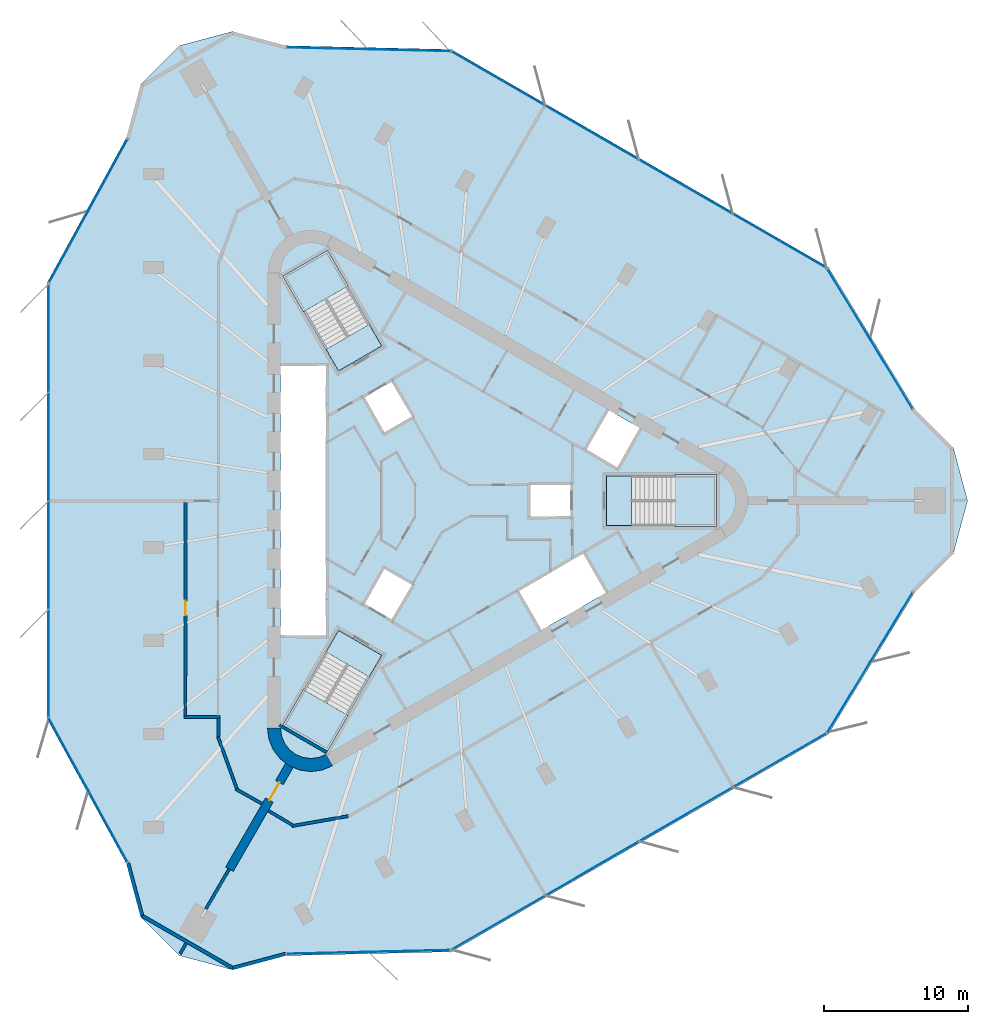
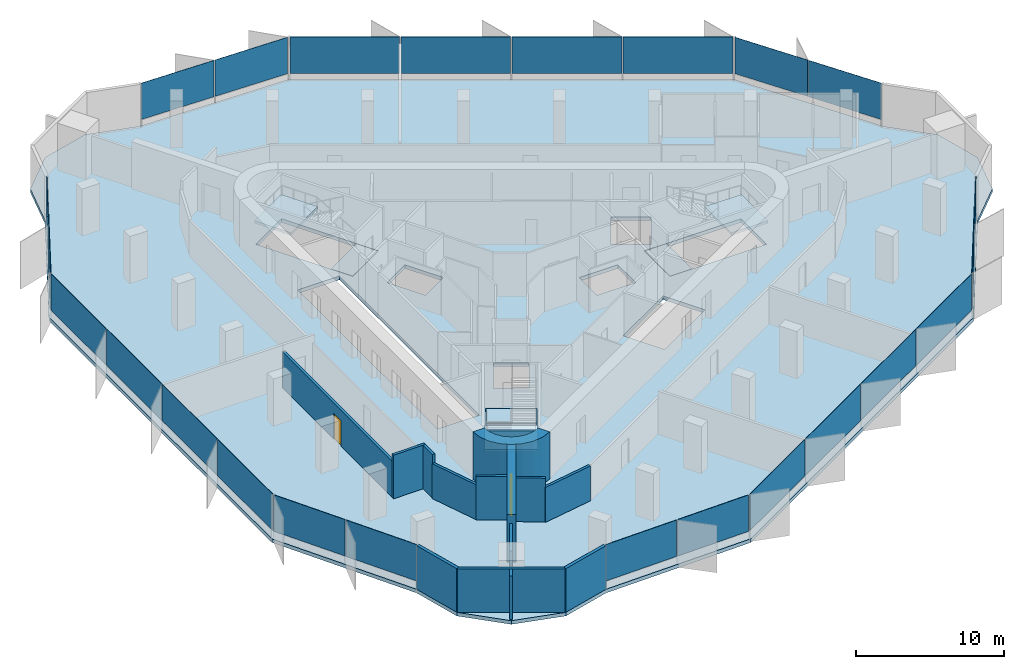
# One storey, part 6 of 12: 24 plates, 15 walls, 7 slabs, 2 doors, 2 openings, 12 elements without a shape of their own.
"""IFC4 building model written with IfcOpenShell, lengths in metres."""

from ifc_helpers import new_model, si_unit, direction, frame, frame_2d, origin, origin_2d, place, context, subcontext, project, spatial, polyline, rectangle, outline, extrude, material, layer, layer_set, type_object, element, fill, aggregate, save


model = new_model("IFC4")

# Units and contexts
model_context = context("Model", 3, precision=1e-05, world=origin(), true_north=direction((0.0, 1.0)))
body_context = subcontext(model_context, "Body", "Model", "MODEL_VIEW")
ifc_project = project(units=[si_unit("LENGTHUNIT", "METRE"), si_unit("AREAUNIT", "SQUARE_METRE"), si_unit("VOLUMEUNIT", "CUBIC_METRE"), si_unit("PLANEANGLEUNIT", "RADIAN"), si_unit("MASSUNIT", "GRAM", prefix="KILO")], contexts=[model_context])

# Site, building, storey
site_placement = place(None, origin())
site = spatial("IfcSite", under=ifc_project, at=site_placement, CompositionType="ELEMENT")
building_placement = place(site_placement, origin())
building = spatial("IfcBuilding", under=site, at=building_placement, Name="Tanit Gate Tower", CompositionType="ELEMENT")
storey_placement = place(building_placement, frame((0.0, 0.0, 333.800048828125)))
storey = spatial("IfcBuildingStorey", under=building, at=storey_placement, Name="L75", CompositionType="ELEMENT", Elevation=333.800048828125)

# Slab
ifc_material_1 = material(Name="Concrete C35/45", Category="concrete")
ifc_layer_1 = layer(ifc_material_1, 0.300048828125)
ifc_layer_set_1 = layer_set([ifc_layer_1], Name="FLOOR SLAB 300 C35/45")
slab_type_1 = type_object("IfcSlabType", Name="FLOOR SLAB 300 C35/45", PredefinedType="FLOOR", material=ifc_layer_set_1)
slab_1_placement = place(storey_placement, frame((0.0, 0.0, -0.300048828125)))
element("IfcSlab", 1, at=slab_1_placement, inside=storey, type_object=slab_type_1, Name="FLOOR SLAB L75", PredefinedType="FLOOR", context=body_context, shape_type="SweptSolid", body=[
    extrude(outline(polyline([(32.703125, 6.381103515625), (35.39990234375, 3.68408203125), (36.38720703125, 0.0), (35.39990234375, -3.68408203125), (32.703125, -6.381103515625), (26.747802734375, -16.17138671875), (0.6298828125, -31.248291015625), (-10.825439453125, -31.51220703125), (-14.509521484375, -32.49951171875), (-18.193603515625, -31.51220703125), (-20.890380859375, -28.815185546875), (-21.877685546875, -25.131103515625), (-27.378662109375, -15.07861328125), (-27.376708984375, 15.07861328125), (-21.877685546875, 25.131103515625), (-20.890380859375, 28.815185546875), (-18.193603515625, 31.51220703125), (-14.509521484375, 32.49951171875), (-10.825439453125, 31.51220703125), (0.630859375, 31.25), (26.746826171875, 16.16943359375), (32.703125, 6.381103515625)]), holes=[polyline([(11.3701171875, 1.72998046875), (18.929931640625, 1.72998046875), (18.929931640625, -1.72998046875), (11.3701171875, -1.72998046875), (11.3701171875, 1.72998046875)]), polyline([(12.158935546875, 2.159912109375), (9.82080078125, 3.510009765625), (11.44580078125, 6.324462890625), (13.783935546875, 4.974609375), (12.158935546875, 2.159912109375)]), polyline([(11.44580078125, -6.324462890625), (6.76904296875, -9.0244140625), (5.14404296875, -6.2099609375), (9.82080078125, -3.510009765625), (11.44580078125, -6.324462890625)]), polyline([(6.0, 1.199951171875), (9.0, 1.199951171875), (9.0, -1.199951171875), (6.0, -1.199951171875), (6.0, 1.199951171875)]), polyline([(-4.039306640625, 4.59619140625), (-5.539306640625, 7.194091796875), (-3.460693359375, 8.394287109375), (-1.960693359375, 5.796142578125), (-4.039306640625, 4.59619140625)]), polyline([(-1.960693359375, -5.796142578125), (-3.460693359375, -8.394287109375), (-5.539306640625, -7.194091796875), (-4.039306640625, -4.59619140625), (-1.960693359375, -5.796142578125)]), polyline([(-7.18310546875, 8.981689453125), (-10.963134765625, 15.52880859375), (-7.966796875, 17.2587890625), (-4.186767578125, 10.711669921875), (-7.18310546875, 8.981689453125)]), polyline([(-4.186767578125, -10.711669921875), (-7.966796875, -17.2587890625), (-10.963134765625, -15.52880859375), (-7.18310546875, -8.981689453125), (-4.186767578125, -10.711669921875)]), polyline([(-11.199951171875, -9.449951171875), (-11.199951171875, 9.449951171875), (-7.949951171875, 9.449951171875), (-7.949951171875, -9.449951171875), (-11.199951171875, -9.449951171875)])]), origin(), (0.0, 0.0, 1.0), 0.300048828125),
])

# Curtain wall, plates
ifc_material_2 = material(Name="Aluminium bronze anodised and glass", Category="aluminium")
curtain_wall_type = type_object("IfcCurtainWallType", Name="Curtain wall typical high", PredefinedType="NOTDEFINED", material=ifc_material_2)
curtain_wall_1_placement = place(storey_placement, origin())
curtain_wall_1 = element("IfcCurtainWall", 2, at=curtain_wall_1_placement, inside=storey, type_object=curtain_wall_type, Name="Curtain wall L75 NE1", PredefinedType="NOTDEFINED")
ifc_material_3 = material(Name="Glass tinted", Category="glass")
ifc_layer_2 = layer(ifc_material_3, 0.028076171875)
ifc_layer_set_2 = layer_set([ifc_layer_2], Name="Glass panel 28 typical high")
plate_type = type_object("IfcPlateType", Name="Glass panel 28 typical high", PredefinedType="CURTAIN_PANEL", material=ifc_layer_set_2)
plate_1_placement = place(storey_placement, frame((31.110595703125, 8.76708984375, 0.599853515625), z_axis=(0.0, 0.0, 1.0), x_axis=(-0.519820409699, 0.854275565412, 0.0)))
plate_1 = element("IfcPlate", 3, at=plate_1_placement, type_object=plate_type, Name="Glass panel L75 NE1.1", PredefinedType="CURTAIN_PANEL", context=body_context, shape_type="SweptSolid", body=[
    extrude(rectangle(XDim=5.60107421875, YDim=0.028076171875, at=origin_2d()), origin(), (0.0, 0.0, 1.0), 3.0),
])
plate_2_placement = place(storey_placement, frame((28.15771484375, 13.6201171875, 0.599853515625), z_axis=(0.0, 0.0, 1.0), x_axis=(-0.519820409699, 0.854275565412, 0.0)))
plate_2 = element("IfcPlate", 4, at=plate_2_placement, type_object=plate_type, Name="Glass panel L75 NE1.2", PredefinedType="CURTAIN_PANEL", context=body_context, shape_type="SweptSolid", body=[
    extrude(rectangle(XDim=5.600830078125, YDim=0.028076171875, at=origin_2d()), origin(), (0.0, 0.0, 1.0), 3.0),
])
aggregate(curtain_wall_1, [plate_1, plate_2])

curtain_wall_2_placement = place(storey_placement, origin())
curtain_wall_2 = element("IfcCurtainWall", 5, at=curtain_wall_2_placement, inside=storey, type_object=curtain_wall_type, Name="Curtain wall L75 NE2", PredefinedType="NOTDEFINED")
plate_3_placement = place(storey_placement, frame((23.37646484375, 17.977294921875, 0.599853515625), z_axis=(0.0, 0.0, 1.0), x_axis=(-0.865990732317, 0.500060047936, 0.0)))
plate_3 = element("IfcPlate", 6, at=plate_3_placement, type_object=plate_type, Name="Glass panel L75 NE2.1", PredefinedType="CURTAIN_PANEL", context=body_context, shape_type="SweptSolid", body=[
    extrude(rectangle(XDim=7.424072265625, YDim=0.028076171875, at=origin_2d()), origin(), (0.0, 0.0, 1.0), 3.0),
])
plate_4_placement = place(storey_placement, frame((16.878173828125, 21.729736328125, 0.599853515625), z_axis=(0.0, 0.0, 1.0), x_axis=(-0.865990732317, 0.500060047936, 0.0)))
plate_4 = element("IfcPlate", 7, at=plate_4_placement, type_object=plate_type, Name="Glass panel L75 NE2.2", PredefinedType="CURTAIN_PANEL", context=body_context, shape_type="SweptSolid", body=[
    extrude(rectangle(XDim=7.424072265625, YDim=0.028076171875, at=origin_2d()), origin(), (0.0, 0.0, 1.0), 3.0),
])
plate_5_placement = place(storey_placement, frame((10.379638671875, 25.482177734375, 0.599853515625), z_axis=(0.0, 0.0, 1.0), x_axis=(-0.865990732317, 0.500060047936, 0.0)))
plate_5 = element("IfcPlate", 8, at=plate_5_placement, type_object=plate_type, Name="Glass panel L75 NE2.3", PredefinedType="CURTAIN_PANEL", context=body_context, shape_type="SweptSolid", body=[
    extrude(rectangle(XDim=7.424072265625, YDim=0.028076171875, at=origin_2d()), origin(), (0.0, 0.0, 1.0), 3.0),
])
plate_6_placement = place(storey_placement, frame((3.88134765625, 29.234619140625, 0.599853515625), z_axis=(0.0, 0.0, 1.0), x_axis=(-0.865990732317, 0.500060047936, 0.0)))
plate_6 = element("IfcPlate", 9, at=plate_6_placement, type_object=plate_type, Name="Glass panel L75 NE2.4", PredefinedType="CURTAIN_PANEL", context=body_context, shape_type="SweptSolid", body=[
    extrude(rectangle(XDim=7.424072265625, YDim=0.028076171875, at=origin_2d()), origin(), (0.0, 0.0, 1.0), 3.0),
])
aggregate(curtain_wall_2, [plate_3, plate_4, plate_5, plate_6])

curtain_wall_3_placement = place(storey_placement, origin())
curtain_wall_3 = element("IfcCurtainWall", 10, at=curtain_wall_3_placement, inside=storey, type_object=curtain_wall_type, Name="Curtain wall L75 NE3", PredefinedType="NOTDEFINED")
plate_7_placement = place(storey_placement, frame((-2.282470703125, 31.19677734375, 0.599853515625), z_axis=(0.0, 0.0, 1.0), x_axis=(-0.999738222032, 0.022879847229, 0.0)))
plate_7 = element("IfcPlate", 11, at=plate_7_placement, type_object=plate_type, Name="Glass panel L75 NE3.1", PredefinedType="CURTAIN_PANEL", context=body_context, shape_type="SweptSolid", body=[
    extrude(rectangle(XDim=5.6015625, YDim=0.028076171875, at=origin_2d()), origin(), (0.0, 0.0, 1.0), 3.0),
])
plate_8_placement = place(storey_placement, frame((-7.962646484375, 31.32666015625, 0.599853515625), z_axis=(0.0, 0.0, 1.0), x_axis=(-0.999738222032, 0.022879847229, 0.0)))
plate_8 = element("IfcPlate", 12, at=plate_8_placement, type_object=plate_type, Name="Glass panel L75 NE3.2", PredefinedType="CURTAIN_PANEL", context=body_context, shape_type="SweptSolid", body=[
    extrude(rectangle(XDim=5.601318359375, YDim=0.028076171875, at=origin_2d()), origin(), (0.0, 0.0, 1.0), 3.0),
])
aggregate(curtain_wall_3, [plate_7, plate_8])

curtain_wall_4_placement = place(storey_placement, origin())
curtain_wall_4 = element("IfcCurtainWall", 13, at=curtain_wall_4_placement, inside=storey, type_object=curtain_wall_type, Name="Curtain wall L75 W1", PredefinedType="NOTDEFINED")
plate_9_placement = place(storey_placement, frame((-23.14794921875, 22.55908203125, 0.599853515625), z_axis=(0.0, 0.0, 1.0), x_axis=(-0.47991413663, -0.877315462911, 0.0)))
plate_9 = element("IfcPlate", 14, at=plate_9_placement, type_object=plate_type, Name="Glass panel L75 W1.1", PredefinedType="CURTAIN_PANEL", context=body_context, shape_type="SweptSolid", body=[
    extrude(rectangle(XDim=5.60107421875, YDim=0.028076171875, at=origin_2d()), origin(), (0.0, 0.0, 1.0), 3.0),
])
plate_10_placement = place(storey_placement, frame((-25.874267578125, 17.5751953125, 0.599853515625), z_axis=(0.0, 0.0, 1.0), x_axis=(-0.47991413663, -0.877315462911, 0.0)))
plate_10 = element("IfcPlate", 15, at=plate_10_placement, type_object=plate_type, Name="Glass panel L75 W1.2", PredefinedType="CURTAIN_PANEL", context=body_context, shape_type="SweptSolid", body=[
    extrude(rectangle(XDim=5.600830078125, YDim=0.028076171875, at=origin_2d()), origin(), (0.0, 0.0, 1.0), 3.0),
])
aggregate(curtain_wall_4, [plate_9, plate_10])

curtain_wall_5_placement = place(storey_placement, origin())
curtain_wall_5 = element("IfcCurtainWall", 16, at=curtain_wall_5_placement, inside=storey, type_object=curtain_wall_type, Name="Curtain wall L75 W2", PredefinedType="NOTDEFINED")
plate_11_placement = place(storey_placement, frame((-27.2568359375, 11.256103515625, 0.599853515625), z_axis=(0.0, 0.0, 1.0), x_axis=(-6.9338772e-05, -0.999999997596, 0.0)))
plate_11 = element("IfcPlate", 17, at=plate_11_placement, type_object=plate_type, Name="Glass panel L75 W2.1", PredefinedType="CURTAIN_PANEL", context=body_context, shape_type="SweptSolid", body=[
    extrude(rectangle(XDim=7.424072265625, YDim=0.028076171875, at=origin_2d()), origin(), (0.0, 0.0, 1.0), 3.0),
])
plate_12_placement = place(storey_placement, frame((-27.25732421875, 3.751953125, 0.599853515625), z_axis=(0.0, 0.0, 1.0), x_axis=(-6.9338772e-05, -0.999999997596, 0.0)))
plate_12 = element("IfcPlate", 18, at=plate_12_placement, type_object=plate_type, Name="Glass panel L75 W2.2", PredefinedType="CURTAIN_PANEL", context=body_context, shape_type="SweptSolid", body=[
    extrude(rectangle(XDim=7.424072265625, YDim=0.028076171875, at=origin_2d()), origin(), (0.0, 0.0, 1.0), 3.0),
])
plate_13_placement = place(storey_placement, frame((-27.258056640625, -3.751953125, 0.599853515625), z_axis=(0.0, 0.0, 1.0), x_axis=(-6.9338772e-05, -0.999999997596, 0.0)))
plate_13 = element("IfcPlate", 19, at=plate_13_placement, type_object=plate_type, Name="Glass panel L75 W2.3", PredefinedType="CURTAIN_PANEL", context=body_context, shape_type="SweptSolid", body=[
    extrude(rectangle(XDim=7.424072265625, YDim=0.028076171875, at=origin_2d()), origin(), (0.0, 0.0, 1.0), 3.0),
])
plate_14_placement = place(storey_placement, frame((-27.258544921875, -11.256103515625, 0.599853515625), z_axis=(0.0, 0.0, 1.0), x_axis=(-6.9338772e-05, -0.999999997596, 0.0)))
plate_14 = element("IfcPlate", 20, at=plate_14_placement, type_object=plate_type, Name="Glass panel L75 W2.4", PredefinedType="CURTAIN_PANEL", context=body_context, shape_type="SweptSolid", body=[
    extrude(rectangle(XDim=7.424072265625, YDim=0.028076171875, at=origin_2d()), origin(), (0.0, 0.0, 1.0), 3.0),
])
aggregate(curtain_wall_5, [plate_11, plate_12, plate_13, plate_14])

curtain_wall_6_placement = place(storey_placement, origin())
curtain_wall_6 = element("IfcCurtainWall", 21, at=curtain_wall_6_placement, inside=storey, type_object=curtain_wall_type, Name="Curtain wall L75 W3", PredefinedType="NOTDEFINED")
plate_15_placement = place(storey_placement, frame((-25.875732421875, -17.5751953125, 0.599853515625), z_axis=(0.0, 0.0, 1.0), x_axis=(0.48005458208, -0.877238621028, 0.0)))
plate_15 = element("IfcPlate", 22, at=plate_15_placement, type_object=plate_type, Name="Glass panel L75 W3.1", PredefinedType="CURTAIN_PANEL", context=body_context, shape_type="SweptSolid", body=[
    extrude(rectangle(XDim=5.6015625, YDim=0.028076171875, at=origin_2d()), origin(), (0.0, 0.0, 1.0), 3.0),
])
plate_16_placement = place(storey_placement, frame((-23.1484375, -22.55908203125, 0.599853515625), z_axis=(0.0, 0.0, 1.0), x_axis=(0.48005458208, -0.877238621028, 0.0)))
plate_16 = element("IfcPlate", 23, at=plate_16_placement, type_object=plate_type, Name="Glass panel L75 W3.2", PredefinedType="CURTAIN_PANEL", context=body_context, shape_type="SweptSolid", body=[
    extrude(rectangle(XDim=5.601318359375, YDim=0.028076171875, at=origin_2d()), origin(), (0.0, 0.0, 1.0), 3.0),
])
aggregate(curtain_wall_6, [plate_15, plate_16])

curtain_wall_7_placement = place(storey_placement, origin())
curtain_wall_7 = element("IfcCurtainWall", 24, at=curtain_wall_7_placement, inside=storey, type_object=curtain_wall_type, Name="Curtain wall L75 SE1", PredefinedType="NOTDEFINED")
plate_17_placement = place(storey_placement, frame((-7.962890625, -31.326171875, 0.599853515625), z_axis=(0.0, 0.0, 1.0), x_axis=(0.999734546329, 0.023039897499, 0.0)))
plate_17 = element("IfcPlate", 25, at=plate_17_placement, type_object=plate_type, Name="Glass panel L75 SE1.1", PredefinedType="CURTAIN_PANEL", context=body_context, shape_type="SweptSolid", body=[
    extrude(rectangle(XDim=5.60107421875, YDim=0.028076171875, at=origin_2d()), origin(), (0.0, 0.0, 1.0), 3.0),
])
plate_18_placement = place(storey_placement, frame((-2.283447265625, -31.1953125, 0.599853515625), z_axis=(0.0, 0.0, 1.0), x_axis=(0.999734546329, 0.023039897499, 0.0)))
plate_18 = element("IfcPlate", 26, at=plate_18_placement, type_object=plate_type, Name="Glass panel L75 SE1.2", PredefinedType="CURTAIN_PANEL", context=body_context, shape_type="SweptSolid", body=[
    extrude(rectangle(XDim=5.600830078125, YDim=0.028076171875, at=origin_2d()), origin(), (0.0, 0.0, 1.0), 3.0),
])
aggregate(curtain_wall_7, [plate_17, plate_18])

curtain_wall_8_placement = place(storey_placement, origin())
curtain_wall_8 = element("IfcCurtainWall", 27, at=curtain_wall_8_placement, inside=storey, type_object=curtain_wall_type, Name="Curtain wall L75 SE2", PredefinedType="NOTDEFINED")
plate_19_placement = place(storey_placement, frame((3.88037109375, -29.233154296875, 0.599853515625), z_axis=(0.0, 0.0, 1.0), x_axis=(0.866060071089, 0.49993994966, 0.0)))
plate_19 = element("IfcPlate", 28, at=plate_19_placement, type_object=plate_type, Name="Glass panel L75 SE2.1", PredefinedType="CURTAIN_PANEL", context=body_context, shape_type="SweptSolid", body=[
    extrude(rectangle(XDim=7.424072265625, YDim=0.028076171875, at=origin_2d()), origin(), (0.0, 0.0, 1.0), 3.0),
])
plate_20_placement = place(storey_placement, frame((10.37939453125, -25.481689453125, 0.599853515625), z_axis=(0.0, 0.0, 1.0), x_axis=(0.866060071089, 0.49993994966, 0.0)))
plate_20 = element("IfcPlate", 29, at=plate_20_placement, type_object=plate_type, Name="Glass panel L75 SE2.2", PredefinedType="CURTAIN_PANEL", context=body_context, shape_type="SweptSolid", body=[
    extrude(rectangle(XDim=7.424072265625, YDim=0.028076171875, at=origin_2d()), origin(), (0.0, 0.0, 1.0), 3.0),
])
plate_21_placement = place(storey_placement, frame((16.87841796875, -21.72998046875, 0.599853515625), z_axis=(0.0, 0.0, 1.0), x_axis=(0.866060071089, 0.49993994966, 0.0)))
plate_21 = element("IfcPlate", 30, at=plate_21_placement, type_object=plate_type, Name="Glass panel L75 SE2.3", PredefinedType="CURTAIN_PANEL", context=body_context, shape_type="SweptSolid", body=[
    extrude(rectangle(XDim=7.424072265625, YDim=0.028076171875, at=origin_2d()), origin(), (0.0, 0.0, 1.0), 3.0),
])
plate_22_placement = place(storey_placement, frame((23.377197265625, -17.978515625, 0.599853515625), z_axis=(0.0, 0.0, 1.0), x_axis=(0.866060071089, 0.49993994966, 0.0)))
plate_22 = element("IfcPlate", 31, at=plate_22_placement, type_object=plate_type, Name="Glass panel L75 SE2.4", PredefinedType="CURTAIN_PANEL", context=body_context, shape_type="SweptSolid", body=[
    extrude(rectangle(XDim=7.424072265625, YDim=0.028076171875, at=origin_2d()), origin(), (0.0, 0.0, 1.0), 3.0),
])
aggregate(curtain_wall_8, [plate_19, plate_20, plate_21, plate_22])

curtain_wall_9_placement = place(storey_placement, origin())
curtain_wall_9 = element("IfcCurtainWall", 32, at=curtain_wall_9_placement, inside=storey, type_object=curtain_wall_type, Name="Curtain wall L75 SE3", PredefinedType="NOTDEFINED")
plate_23_placement = place(storey_placement, frame((28.158447265625, -13.62158203125, 0.599853515625), z_axis=(0.0, 0.0, 1.0), x_axis=(0.519683639951, 0.854358773799, 0.0)))
plate_23 = element("IfcPlate", 33, at=plate_23_placement, type_object=plate_type, Name="Glass panel L75 SE3.1", PredefinedType="CURTAIN_PANEL", context=body_context, shape_type="SweptSolid", body=[
    extrude(rectangle(XDim=5.6015625, YDim=0.028076171875, at=origin_2d()), origin(), (0.0, 0.0, 1.0), 3.0),
])
plate_24_placement = place(storey_placement, frame((31.111083984375, -8.767578125, 0.599853515625), z_axis=(0.0, 0.0, 1.0), x_axis=(0.519683639951, 0.854358773799, 0.0)))
plate_24 = element("IfcPlate", 34, at=plate_24_placement, type_object=plate_type, Name="Glass panel L75 SE3.2", PredefinedType="CURTAIN_PANEL", context=body_context, shape_type="SweptSolid", body=[
    extrude(rectangle(XDim=5.601318359375, YDim=0.028076171875, at=origin_2d()), origin(), (0.0, 0.0, 1.0), 3.0),
])
aggregate(curtain_wall_9, [plate_23, plate_24])

# Stair, slab
ifc_material_4 = material(Name="Concrete C40/50", Category="concrete")
stair_type = type_object("IfcStairType", Name="INT-STAIR-EXIT", PredefinedType="HALF_TURN_STAIR", material=ifc_material_4)
stair_1_placement = place(storey_placement, origin())
stair_1 = element("IfcStair", 35, at=stair_1_placement, inside=storey, type_object=stair_type, Name="L75 STAIR S1", PredefinedType="HALF_TURN_STAIR")
ifc_material_5 = material(Name="Concrete C40/50", Category="concrete")
ifc_layer_3 = layer(ifc_material_5, 0.199951171875)
ifc_layer_set_3 = layer_set([ifc_layer_3], Name="INT-STAIR-LANDING")
slab_type_2 = type_object("IfcSlabType", Name="INT-STAIR-LANDING", PredefinedType="LANDING", material=ifc_layer_set_3)
slab_2_placement = place(storey_placement, frame((0.0, 0.0, 1.75)))
slab_2 = element("IfcSlab", 36, at=slab_2_placement, type_object=slab_type_2, Name="S1 landing 1", PredefinedType="LANDING", context=body_context, shape_type="SweptSolid", body=[
    extrude(outline(polyline([(16.135986328125, -1.800048828125), (19.0, -1.800048828125), (19.0, 1.800048828125), (16.135986328125, 1.800048828125), (16.135986328125, -1.800048828125)])), origin(), (0.0, 0.0, 1.0), 0.199951171875),
])
aggregate(stair_1, [slab_2])

# Slab
slab_3_placement = place(storey_placement, frame((0.0, 0.0, -0.199951171875)))
element("IfcSlab", 37, at=slab_3_placement, inside=storey, type_object=slab_type_2, Name="S1 floor landing", PredefinedType="LANDING", context=body_context, shape_type="SweptSolid", body=[
    extrude(outline(polyline([(11.3798828125, -1.719970703125), (13.10498046875, -1.719970703125), (13.10498046875, 1.719970703125), (11.3798828125, 1.719970703125), (11.3798828125, -1.719970703125)])), origin(), (0.0, 0.0, 1.0), 0.199951171875),
])

# Stair, slab
stair_2_placement = place(storey_placement, origin())
stair_2 = element("IfcStair", 38, at=stair_2_placement, inside=storey, type_object=stair_type, Name="L75 STAIR S2", PredefinedType="HALF_TURN_STAIR")
slab_4_placement = place(storey_placement, frame((0.0, 0.0, 1.75)))
slab_4 = element("IfcSlab", 39, at=slab_4_placement, type_object=slab_type_2, Name="S2 landing 1", PredefinedType="LANDING", context=body_context, shape_type="SweptSolid", body=[
    extrude(outline(polyline([(-6.5078125, 14.871826171875), (-7.941162109375, 17.3544921875), (-11.058837890625, 15.554443359375), (-9.62548828125, 13.07177734375), (-6.5078125, 14.871826171875)])), origin(), (0.0, 0.0, 1.0), 0.199951171875),
])
aggregate(stair_2, [slab_4])

# Slab
slab_5_placement = place(storey_placement, frame((0.0, 0.0, -0.199951171875)))
element("IfcSlab", 40, at=slab_5_placement, inside=storey, type_object=slab_type_2, Name="S2 floor landing", PredefinedType="LANDING", context=body_context, shape_type="SweptSolid", body=[
    extrude(outline(polyline([(-4.200439453125, 10.71533203125), (-5.0625, 12.20849609375), (-8.04150390625, 10.48828125), (-7.179443359375, 8.995361328125), (-4.200439453125, 10.71533203125)])), origin(), (0.0, 0.0, 1.0), 0.199951171875),
])

# Stair, slab
stair_3_placement = place(storey_placement, origin())
stair_3 = element("IfcStair", 41, at=stair_3_placement, inside=storey, type_object=stair_type, Name="L75 STAIR S3", PredefinedType="HALF_TURN_STAIR")
slab_6_placement = place(storey_placement, frame((0.0, 0.0, 1.75)))
slab_6 = element("IfcSlab", 42, at=slab_6_placement, type_object=slab_type_2, Name="S3 landing 1", PredefinedType="LANDING", context=body_context, shape_type="SweptSolid", body=[
    extrude(outline(polyline([(-9.626953125, -13.07421875), (-11.058837890625, -15.554443359375), (-7.941162109375, -17.3544921875), (-6.509033203125, -14.874267578125), (-9.626953125, -13.07421875)])), origin(), (0.0, 0.0, 1.0), 0.199951171875),
])
aggregate(stair_3, [slab_6])

# Slab
slab_7_placement = place(storey_placement, frame((0.0, 0.0, -0.199951171875)))
element("IfcSlab", 43, at=slab_7_placement, inside=storey, type_object=slab_type_2, Name="S3 floor landing", PredefinedType="LANDING", context=body_context, shape_type="SweptSolid", body=[
    extrude(outline(polyline([(-7.179443359375, -8.995361328125), (-8.0419921875, -10.4892578125), (-5.06298828125, -12.209228515625), (-4.200439453125, -10.71533203125), (-7.179443359375, -8.995361328125)])), origin(), (0.0, 0.0, 1.0), 0.199951171875),
])

# Wall, opening, door
ifc_material_6 = material(Name="Concrete C40/50", Category="concrete")
ifc_layer_4 = layer(ifc_material_6, 0.60009765625)
ifc_layer_set_4 = layer_set([ifc_layer_4], Name="BUTTRESS FIN 600 C40/50")
wall_type_1 = type_object("IfcWallType", Name="BUTTRESS FIN 600 C40/50", PredefinedType="SHEAR", material=ifc_layer_set_4)
wall_1_placement = place(storey_placement, frame((-10.574951171875, -18.31640625, 0.0), z_axis=(0.0, 0.0, 1.0), x_axis=(-0.499998447599, -0.866026300061, 0.0)))
wall_1 = element("IfcWall", 44, at=wall_1_placement, inside=storey, type_object=wall_type_1, Name="BUTTRESS FIN", PredefinedType="SHEAR", context=body_context, shape_type="SweptSolid", body=[
    extrude(rectangle(XDim=8.32080078125, YDim=0.60009765625, at=frame_2d((4.160400390625, 0.0))), origin(), (0.0, 0.0, 1.0), 3.89990234375),
])
opening_1_placement = place(wall_1_placement, frame((1.39990234375, 0.0, 0.0)))
opening_1 = element("IfcOpeningElement", 45, at=opening_1_placement, cuts=wall_1, Name="Opening P14-S21-F-SW-1", PredefinedType="OPENING", context=body_context, shape_type="SweptSolid", body=[
    extrude(rectangle(XDim=1.39990234375, YDim=2.39990234375, at=frame_2d((0.699951171875, 1.199951171875))), frame((0.0, 0.31005859375, 0.0), z_axis=(0.0, -1.0, 0.0), x_axis=(1.0, 0.0, 0.0)), (0.0, 0.0, 1.0), 0.6201171875),
])
ifc_material_7 = material(Name="Timber door leaf", Category="wood")
door_type_1 = type_object("IfcDoorType", Name="INT-DOOR-FIN-PAIR-1400", OperationType="NOTDEFINED", PredefinedType="NOTDEFINED", material=ifc_material_7)
door_1_placement = place(opening_1_placement, origin())
door_1 = element("IfcDoor", 46, at=door_1_placement, inside=storey, type_object=door_type_1, Name="Door P14-S21-F-SW-1", OperationType="DOUBLE_DOOR_SINGLE_SWING", OverallHeight=2.39990234375, OverallWidth=1.39990234375, PredefinedType="NOTDEFINED", context=body_context, shape_type="SweptSolid", body=[
    extrude(rectangle(XDim=1.39990234375, YDim=2.39990234375, at=frame_2d((0.699951171875, 1.199951171875))), frame((0.0, 0.02490234375, 0.0), z_axis=(0.0, -1.0, 0.0), x_axis=(1.0, 0.0, 0.0)), (0.0, 0.0, 1.0), 0.050048828125),
])
fill(opening_1, door_1)

# Walls
ifc_material_8 = material(Name="Concrete C40/50", Category="concrete")
ifc_layer_5 = layer(ifc_material_8, 0.89990234375)
ifc_layer_set_5 = layer_set([ifc_layer_5], Name="CORE WALL 900 C40/50")
wall_type_2 = type_object("IfcWallType", Name="CORE WALL 900 C40/50", PredefinedType="SHEAR", material=ifc_layer_set_5)
wall_2_placement = place(storey_placement, origin())
element("IfcWall", 47, at=wall_2_placement, inside=storey, type_object=wall_type_2, Name="CORE WALL CORNER", PredefinedType="SHEAR", context=body_context, shape_type="SweptSolid", body=[
    extrude(outline(polyline([(-12.10009765625, -15.76171875), (-11.997802734375, -16.5380859375), (-11.697998046875, -17.26171875), (-11.22119140625, -17.883056640625), (-10.60009765625, -18.359619140625), (-9.87646484375, -18.659423828125), (-9.10009765625, -18.76171875), (-8.323486328125, -18.659423828125), (-7.60009765625, -18.359619140625), (-8.050048828125, -17.580322265625), (-8.556396484375, -17.7900390625), (-9.10009765625, -17.86181640625), (-9.6435546875, -17.7900390625), (-10.14990234375, -17.580322265625), (-10.5849609375, -17.24658203125), (-10.918701171875, -16.811767578125), (-11.12841796875, -16.30517578125), (-11.199951171875, -15.76171875), (-12.10009765625, -15.76171875)])), origin(), (0.0, 0.0, 1.0), 3.89990234375),
])
ifc_material_9 = material(Name="Concrete C30/37 with bronze anodised aluminium cladding", Category="concrete")
ifc_layer_6 = layer(ifc_material_9, 0.239990234375)
ifc_layer_set_6 = layer_set([ifc_layer_6], Name="Facade wall bronze clad 240")
wall_type_3 = type_object("IfcWallType", Name="Facade wall bronze clad 240", PredefinedType="SOLIDWALL", material=ifc_layer_set_6)
wall_3_placement = place(storey_placement, frame((-21.765625, -25.086181640625, 0.0), z_axis=(0.0, 0.0, 1.0), x_axis=(0.258843233206, -0.965919344782, 0.0)))
element("IfcWall", 48, at=wall_3_placement, inside=storey, type_object=wall_type_3, Name="Bronze-clad facade wall L75 SW.arc1", PredefinedType="SOLIDWALL", context=body_context, shape_type="SweptSolid", body=[
    extrude(rectangle(XDim=3.79638671875, YDim=0.239990234375, at=frame_2d((1.898193359375, 0.0))), origin(), (0.0, 0.0, 1.0), 3.599853515625),
])
wall_4_placement = place(storey_placement, frame((-20.782958984375, -28.753173828125, 0.0), z_axis=(0.0, 0.0, 1.0), x_axis=(0.866019457076, -0.500010299859, 0.0)))
element("IfcWall", 49, at=wall_4_placement, inside=storey, type_object=wall_type_3, Name="Bronze-clad facade wall L75 SW.arc2", PredefinedType="SOLIDWALL", context=body_context, shape_type="SweptSolid", body=[
    extrude(rectangle(XDim=7.243896484375, YDim=0.239990234375, at=frame_2d((3.6220703125, 0.0))), origin(), (0.0, 0.0, 1.0), 3.599853515625),
])
wall_5_placement = place(storey_placement, frame((-14.509521484375, -32.375244140625, 0.0), z_axis=(0.0, 0.0, 1.0), x_axis=(0.965919344782, 0.258843233206, 0.0)))
element("IfcWall", 50, at=wall_5_placement, inside=storey, type_object=wall_type_3, Name="Bronze-clad facade wall L75 SW.arc3", PredefinedType="SOLIDWALL", context=body_context, shape_type="SweptSolid", body=[
    extrude(rectangle(XDim=3.79638671875, YDim=0.239990234375, at=frame_2d((1.898193359375, 0.0))), origin(), (0.0, 0.0, 1.0), 3.599853515625),
])
ifc_material_10 = material(Name="Fire-rated gypsum board partition")
ifc_layer_7 = layer(ifc_material_10, 0.199951171875)
ifc_layer_set_7 = layer_set([ifc_layer_7], Name="INT-WALL-COMPARTMENT")
wall_type_4 = type_object("IfcWallType", Name="INT-WALL-COMPARTMENT", PredefinedType="PARTITIONING", material=ifc_layer_set_7)
wall_6_placement = place(storey_placement, frame((-17.89990234375, -15.001220703125, 0.0), z_axis=(0.0, 0.0, 1.0), x_axis=(0.999915662945, 0.012987185857, 0.0)))
element("IfcWall", 51, at=wall_6_placement, inside=storey, type_object=wall_type_4, Name="Wall Compartment W085", PredefinedType="PARTITIONING", context=body_context, shape_type="SweptSolid", body=[
    extrude(rectangle(XDim=2.500244140625, YDim=0.199951171875, at=frame_2d((1.25, 0.0))), origin(), (0.0, 0.0, 1.0), 3.599853515625),
])

# Wall, opening, door
wall_7_placement = place(storey_placement, frame((-17.77001953125, 0.0, 0.0), z_axis=(0.0, 0.0, 1.0), x_axis=(-0.001999012883, -0.999998001972, 0.0)))
wall_7 = element("IfcWall", 52, at=wall_7_placement, inside=storey, type_object=wall_type_4, Name="Wall Compartment W086", PredefinedType="PARTITIONING", context=body_context, shape_type="SweptSolid", body=[
    extrude(rectangle(XDim=14.89990234375, YDim=0.199951171875, at=frame_2d((7.449951171875, 0.0))), origin(), (0.0, 0.0, 1.0), 2.969970703125),
])
opening_2_placement = place(wall_7_placement, frame((6.949951171875, 0.0, 0.0)))
opening_2 = element("IfcOpeningElement", 53, at=opening_2_placement, cuts=wall_7, Name="Opening F10-S21-26", PredefinedType="OPENING", context=body_context, shape_type="SweptSolid", body=[
    extrude(rectangle(XDim=1.0, YDim=2.10009765625, at=frame_2d((0.5, 1.050048828125))), frame((0.0, 0.10986328125, 0.0), z_axis=(0.0, -1.0, 0.0), x_axis=(1.0, 0.0, 0.0)), (0.0, 0.0, 1.0), 0.219970703125),
])
ifc_material_11 = material(Name="Fire-rated steel door leaf", Category="steel")
door_type_2 = type_object("IfcDoorType", Name="INT-DOOR-FIRE-1000", OperationType="NOTDEFINED", PredefinedType="USERDEFINED", material=ifc_material_11)
door_2_placement = place(opening_2_placement, origin())
door_2 = element("IfcDoor", 54, at=door_2_placement, inside=storey, type_object=door_type_2, Name="Door F10-S21-26", ObjectType="FIRE DOOR", OperationType="SINGLE_SWING_LEFT", OverallHeight=2.10009765625, OverallWidth=1.0, PredefinedType="USERDEFINED", context=body_context, shape_type="SweptSolid", body=[
    extrude(rectangle(XDim=1.0, YDim=2.10009765625, at=frame_2d((0.5, 1.050048828125))), frame((0.0, 0.02490234375, 0.0), z_axis=(0.0, -1.0, 0.0), x_axis=(1.0, 0.0, 0.0)), (0.0, 0.0, 1.0), 0.050048828125),
])
fill(opening_2, door_2)

# Walls
wall_8_placement = place(storey_placement, frame((-14.293212890625, -19.9775390625, 0.0), z_axis=(0.0, 0.0, 1.0), x_axis=(0.872510000486, -0.48859625362, 0.0)))
element("IfcWall", 55, at=wall_8_placement, inside=storey, type_object=wall_type_4, Name="Wall Compartment W088", PredefinedType="PARTITIONING", context=body_context, shape_type="SweptSolid", body=[
    extrude(rectangle(XDim=2.089599609375, YDim=0.199951171875, at=frame_2d((1.044921875, 0.0))), origin(), (0.0, 0.0, 1.0), 3.599853515625),
])
wall_9_placement = place(storey_placement, frame((-15.5341796875, -16.346435546875, 0.0), z_axis=(0.0, 0.0, 1.0), x_axis=(0.342001008711, -0.939699584996, 0.0)))
element("IfcWall", 56, at=wall_9_placement, inside=storey, type_object=wall_type_4, Name="Wall Compartment W089", PredefinedType="PARTITIONING", context=body_context, shape_type="SweptSolid", body=[
    extrude(rectangle(XDim=3.87548828125, YDim=0.199951171875, at=frame_2d((1.937744140625, 0.0))), origin(), (0.0, 0.0, 1.0), 2.8798828125),
])
wall_10_placement = place(storey_placement, frame((-15.5, -15.070068359375, 0.0), z_axis=(0.0, 0.0, 1.0), x_axis=(0.0, -1.0, 0.0)))
element("IfcWall", 57, at=wall_10_placement, inside=storey, type_object=wall_type_4, Name="Wall Compartment W090", PredefinedType="PARTITIONING", context=body_context, shape_type="SweptSolid", body=[
    extrude(rectangle(XDim=1.2705078125, YDim=0.199951171875, at=frame_2d((0.63525390625, 0.0))), origin(), (0.0, 0.0, 1.0), 3.599853515625),
])
wall_11_placement = place(storey_placement, frame((-10.405517578125, -22.53759765625, 0.0), z_axis=(0.0, 0.0, 1.0), x_axis=(0.98480284819, 0.173675991999, 0.0)))
element("IfcWall", 58, at=wall_11_placement, inside=storey, type_object=wall_type_4, Name="Wall Compartment W107", PredefinedType="PARTITIONING", context=body_context, shape_type="SweptSolid", body=[
    extrude(rectangle(XDim=3.94873046875, YDim=0.199951171875, at=frame_2d((1.974365234375, 0.0))), origin(), (0.0, 0.0, 1.0), 2.8798828125),
])
wall_12_placement = place(storey_placement, frame((-12.05029296875, -21.4716796875, 0.0), z_axis=(0.0, 0.0, 1.0), x_axis=(0.859577966481, -0.511004617924, 0.0)))
element("IfcWall", 59, at=wall_12_placement, inside=storey, type_object=wall_type_4, Name="Wall Compartment W108", PredefinedType="PARTITIONING", context=body_context, shape_type="SweptSolid", body=[
    extrude(rectangle(XDim=1.99755859375, YDim=0.199951171875, at=frame_2d((0.998779296875, 0.0))), origin(), (0.0, 0.0, 1.0), 3.599853515625),
])
wall_13_placement = place(storey_placement, frame((-18.1533203125, -31.382568359375, 0.0), z_axis=(0.0, 0.0, 1.0), x_axis=(0.499973348067, 0.866040790738, 0.0)))
element("IfcWall", 60, at=wall_13_placement, inside=storey, type_object=wall_type_4, Name="Wall Compartment W110", PredefinedType="PARTITIONING", context=body_context, shape_type="SweptSolid", body=[
    extrude(rectangle(XDim=0.84228515625, YDim=0.199951171875, at=frame_2d((0.421142578125, 0.0))), origin(), (0.0, 0.0, 1.0), 3.599853515625),
])
wall_14_placement = place(storey_placement, frame((-16.36962890625, -28.29296875, 0.0), z_axis=(0.0, 0.0, 1.0), x_axis=(0.503233779138, 0.864150313044, 0.0)))
element("IfcWall", 61, at=wall_14_placement, inside=storey, type_object=wall_type_4, Name="Wall Compartment W111", PredefinedType="PARTITIONING", context=body_context, shape_type="SweptSolid", body=[
    extrude(rectangle(XDim=3.216552734375, YDim=0.199951171875, at=frame_2d((1.6083984375, 0.0))), origin(), (0.0, 0.0, 1.0), 3.169921875),
])
ifc_material_12 = material(Name="Concrete C40/50", Category="concrete")
ifc_layer_8 = layer(ifc_material_12, 0.199951171875)
ifc_layer_set_8 = layer_set([ifc_layer_8], Name="INT-WALL-STAIR")
wall_type_5 = type_object("IfcWallType", Name="INT-WALL-STAIR", PredefinedType="SHEAR", material=ifc_layer_set_8)
wall_15_placement = place(storey_placement, frame((-11.281982421875, -15.541015625, -0.300048828125), z_axis=(0.0, 0.0, 1.0), x_axis=(0.866000483506, -0.500043160704, 0.0)))
element("IfcWall", 62, at=wall_15_placement, inside=storey, type_object=wall_type_5, Name="Wall Stair W037", PredefinedType="SHEAR", context=body_context, shape_type="SweptSolid", body=[
    extrude(rectangle(XDim=3.800048828125, YDim=0.199951171875, at=frame_2d((1.89990234375, 0.0))), origin(), (0.0, 0.0, 1.0), 3.89990234375),
])

save(model, "model.ifc")
